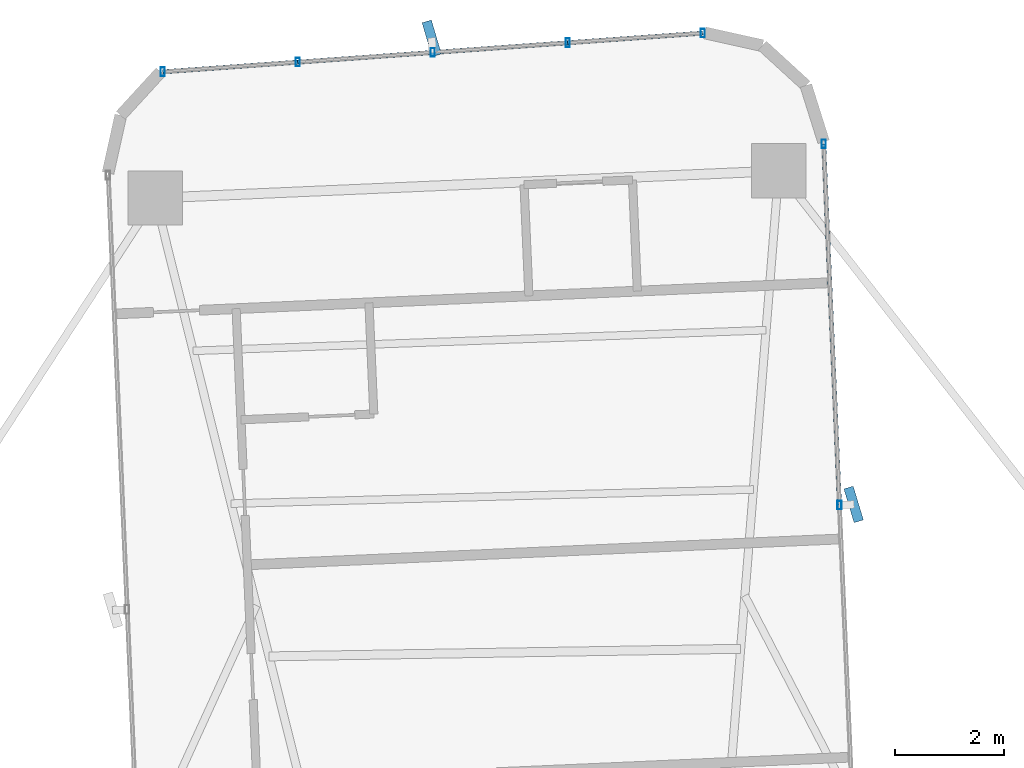
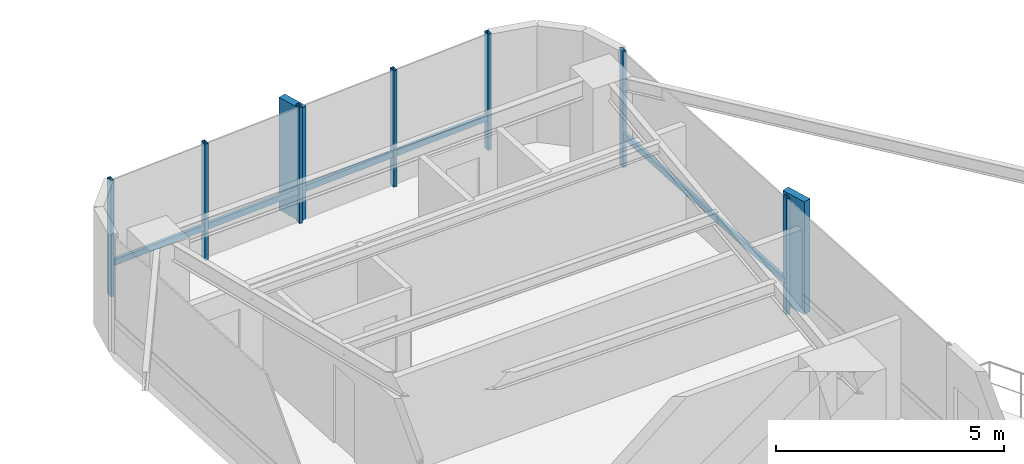
# One storey, part 19 of 26: 14 members, 2 elements without a shape of their own.
"""IFC4 building model written with IfcOpenShell, lengths in metres."""

from ifc_helpers import new_model, si_unit, direction, frame, origin, origin_2d, place, context, subcontext, project, spatial, rectangle, hollow_rectangle, extrude, source, transform, mapped, material, material_profile, profile_set, type_object, element, aggregate, save


model = new_model("IFC4")

# Units and contexts
model_context = context("Model", 3, precision=1e-05, world=origin(), true_north=direction((0.0, 1.0)))
body_context = subcontext(model_context, "Body", "Model", "MODEL_VIEW")
ifc_project = project(units=[si_unit("LENGTHUNIT", "METRE"), si_unit("AREAUNIT", "SQUARE_METRE"), si_unit("VOLUMEUNIT", "CUBIC_METRE"), si_unit("PLANEANGLEUNIT", "RADIAN"), si_unit("MASSUNIT", "GRAM", prefix="KILO")], contexts=[model_context])

# Site, building, storey
site_placement = place(None, origin())
site = spatial("IfcSite", under=ifc_project, at=site_placement, CompositionType="ELEMENT")
building_placement = place(site_placement, origin())
building = spatial("IfcBuilding", under=site, at=building_placement, Name="Sahyath Konkavel Grand Hotel", CompositionType="ELEMENT")
storey_placement = place(building_placement, frame((0.0, 0.0, 118.14990234375)))
storey = spatial("IfcBuildingStorey", under=building, at=storey_placement, Name="L32", CompositionType="ELEMENT", Elevation=118.14990234375)

# Curtain wall, member
ifc_material_1 = material(Name="Anodised Bronze Aluminium & Low-E Glazing", Category="aluminium")
curtain_wall_type = type_object("IfcCurtainWallType", Name="CW-ZONE2", PredefinedType="NOTDEFINED", material=ifc_material_1)
curtain_wall_1_placement = place(storey_placement, origin())
curtain_wall_1 = element("IfcCurtainWall", 1, at=curtain_wall_1_placement, inside=storey, type_object=curtain_wall_type, Name="L32 Unitised Curtain Wall F8", PredefinedType="NOTDEFINED")
ifc_material_2 = material(Name="Warm Buff Sandstone Cladding on Concrete C50/60", Category="masonry")
ifc_material_profile_1 = material_profile(ifc_material_2, rectangle(XDim=0.179931640625, YDim=0.64990234375, at=origin_2d()), Name="FIN 180x650")
ifc_profile_set_1 = profile_set([ifc_material_profile_1], Name="Warm Buff Sandstone Cladding on Concrete C50/60")
member_type_1 = type_object("IfcMemberType", Name="FIN-SANDSTONE-650", PredefinedType="MULLION", material=ifc_profile_set_1)
shared_shape_1 = source(origin(), body_context, "Body", "SweptSolid", [
    extrude(rectangle(XDim=0.179931640625, YDim=0.64990234375, at=origin_2d()), origin(), (0.0, 0.0, 1.0), 3.010009765625),
])
member_1_placement = place(storey_placement, frame((6.155517578125, 16.283935546875, 0.050048828125), z_axis=(0.0, 0.0, 1.0), x_axis=(0.957117481996, 0.289700061544, 0.0)))
member_1 = element("IfcMember", 2, at=member_1_placement, type_object=member_type_1, Name="L32 Sandstone Vertical Solar Fin FIN F8-1", PredefinedType="MULLION", context=body_context, shape_type="MappedRepresentation", body=[
    mapped(shared_shape_1, transform((0.0, 0.0, 0.0), scale=1.0)),
])

curtain_wall_2_placement = place(storey_placement, origin())
curtain_wall_2 = element("IfcCurtainWall", 3, at=curtain_wall_2_placement, inside=storey, type_object=curtain_wall_type, Name="L32 Unitised Curtain Wall F12", PredefinedType="NOTDEFINED")
member_2_placement = place(storey_placement, frame((-1.61865234375, 24.872314453125, 0.050048828125), z_axis=(0.0, 0.0, 1.0), x_axis=(0.959264682049, 0.282508884416, 0.0)))
member_2 = element("IfcMember", 4, at=member_2_placement, type_object=member_type_1, Name="L32 Sandstone Vertical Solar Fin FIN F12-2", PredefinedType="MULLION", context=body_context, shape_type="MappedRepresentation", body=[
    mapped(shared_shape_1, transform((0.0, 0.0, 0.0), scale=1.0)),
])

# Member
ifc_material_3 = material(Name="Anodised Bronze Aluminium", Category="aluminium")
ifc_material_profile_2 = material_profile(ifc_material_3, hollow_rectangle(XDim=0.080078125, YDim=0.159912109375, WallThickness=0.006103515625, at=origin_2d()), Name="RHS 160x80x6")
ifc_profile_set_2 = profile_set([ifc_material_profile_2], Name="Anodised Bronze Aluminium")
member_type_2 = type_object("IfcMemberType", Name="CW-MUL-160", PredefinedType="MULLION", material=ifc_profile_set_2)
shared_shape_2 = source(origin(), body_context, "Body", "SweptSolid", [
    extrude(hollow_rectangle(XDim=0.080078125, YDim=0.159912109375, WallThickness=0.006103515625, at=origin_2d()), origin(), (0.0, 0.0, 1.0), 3.110107421875),
])
member_3_placement = place(storey_placement, frame((5.895751953125, 16.272705078125, 0.0), z_axis=(0.0, 0.0, 1.0), x_axis=(1.0, 0.0, 0.0)))
member_3 = element("IfcMember", 5, at=member_3_placement, type_object=member_type_2, Name="L32 Curtain Wall Mullion F8-1", PredefinedType="MULLION", context=body_context, shape_type="MappedRepresentation", body=[
    mapped(shared_shape_2, transform((0.0, 0.0, 0.0), scale=1.0)),
])

member_4_placement = place(storey_placement, frame((5.605224609375, 22.92626953125, 0.0), z_axis=(0.0, 0.0, 1.0), x_axis=(1.0, 0.0, 0.0)))
member_4 = element("IfcMember", 6, at=member_4_placement, type_object=member_type_2, Name="L32 Curtain Wall Mullion F8-2", PredefinedType="MULLION", context=body_context, shape_type="MappedRepresentation", body=[
    mapped(shared_shape_2, transform((0.0, 0.0, 0.0), scale=1.0)),
])

member_5_placement = place(storey_placement, frame((3.3740234375, 24.9697265625, 0.0), z_axis=(0.0, 0.0, 1.0), x_axis=(1.0, 0.0, 0.0)))
member_5 = element("IfcMember", 7, at=member_5_placement, type_object=member_type_2, Name="L32 Curtain Wall Mullion F12-0", PredefinedType="MULLION", context=body_context, shape_type="MappedRepresentation", body=[
    mapped(shared_shape_2, transform((0.0, 0.0, 0.0), scale=1.0)),
])

member_6_placement = place(storey_placement, frame((0.886962890625, 24.79150390625, 0.0), z_axis=(0.0, 0.0, 1.0), x_axis=(1.0, 0.0, 0.0)))
member_6 = element("IfcMember", 8, at=member_6_placement, type_object=member_type_2, Name="L32 Curtain Wall Mullion F12-1", PredefinedType="MULLION", context=body_context, shape_type="MappedRepresentation", body=[
    mapped(shared_shape_2, transform((0.0, 0.0, 0.0), scale=1.0)),
])

member_7_placement = place(storey_placement, frame((-1.60009765625, 24.61279296875, 0.0), z_axis=(0.0, 0.0, 1.0), x_axis=(1.0, 0.0, 0.0)))
member_7 = element("IfcMember", 9, at=member_7_placement, type_object=member_type_2, Name="L32 Curtain Wall Mullion F12-2", PredefinedType="MULLION", context=body_context, shape_type="MappedRepresentation", body=[
    mapped(shared_shape_2, transform((0.0, 0.0, 0.0), scale=1.0)),
])

member_8_placement = place(storey_placement, frame((-4.087158203125, 24.4345703125, 0.0), z_axis=(0.0, 0.0, 1.0), x_axis=(1.0, 0.0, 0.0)))
member_8 = element("IfcMember", 10, at=member_8_placement, type_object=member_type_2, Name="L32 Curtain Wall Mullion F12-3", PredefinedType="MULLION", context=body_context, shape_type="MappedRepresentation", body=[
    mapped(shared_shape_2, transform((0.0, 0.0, 0.0), scale=1.0)),
])

member_9_placement = place(storey_placement, frame((-6.57421875, 24.256103515625, 0.0), z_axis=(0.0, 0.0, 1.0), x_axis=(1.0, 0.0, 0.0)))
member_9 = element("IfcMember", 11, at=member_9_placement, type_object=member_type_2, Name="L32 Curtain Wall Mullion F12-4", PredefinedType="MULLION", context=body_context, shape_type="MappedRepresentation", body=[
    mapped(shared_shape_2, transform((0.0, 0.0, 0.0), scale=1.0)),
])

ifc_material_profile_3 = material_profile(ifc_material_3, hollow_rectangle(XDim=0.080078125, YDim=0.159912109375, WallThickness=0.006103515625, at=origin_2d()), Name="RHS 160x80x6")
ifc_profile_set_3 = profile_set([ifc_material_profile_3], Name="Anodised Bronze Aluminium")
member_type_3 = type_object("IfcMemberType", Name="CW-TRN-160", PredefinedType="USERDEFINED", material=ifc_profile_set_3)
shared_shape_3 = source(origin(), body_context, "Body", "SweptSolid", [
    extrude(hollow_rectangle(XDim=0.080078125, YDim=0.159912109375, WallThickness=0.006103515625, at=origin_2d()), origin(), (0.0, 0.0, 1.0), 2.493408203125),
])
member_10_placement = place(storey_placement, frame((3.3740234375, 24.9697265625, 0.85009765625), z_axis=(-0.997442271688, -0.071476672066, 0.0), x_axis=(0.071476672066, -0.997442271688, 0.0)))
member_10 = element("IfcMember", 12, at=member_10_placement, type_object=member_type_3, Name="L32 Curtain Wall Transom F12-0-spandrel", ObjectType="TRANSOM", PredefinedType="USERDEFINED", context=body_context, shape_type="MappedRepresentation", body=[
    mapped(shared_shape_3, transform((0.0, 0.0, 0.0), scale=1.0)),
])

member_11_placement = place(storey_placement, frame((0.886962890625, 24.79150390625, 0.85009765625), z_axis=(-0.997428291631, -0.071671494009, 0.0), x_axis=(0.071671494009, -0.997428291631, 0.0)))
member_11 = element("IfcMember", 13, at=member_11_placement, type_object=member_type_3, Name="L32 Curtain Wall Transom F12-1-spandrel", ObjectType="TRANSOM", PredefinedType="USERDEFINED", context=body_context, shape_type="MappedRepresentation", body=[
    mapped(shared_shape_3, transform((0.0, 0.0, 0.0), scale=1.0)),
])

member_12_placement = place(storey_placement, frame((-1.60009765625, 24.61279296875, 0.85009765625), z_axis=(-0.997442271688, -0.071476672066, 0.0), x_axis=(0.071476672066, -0.997442271688, 0.0)))
member_12 = element("IfcMember", 14, at=member_12_placement, type_object=member_type_3, Name="L32 Curtain Wall Transom F12-2-spandrel", ObjectType="TRANSOM", PredefinedType="USERDEFINED", context=body_context, shape_type="MappedRepresentation", body=[
    mapped(shared_shape_3, transform((0.0, 0.0, 0.0), scale=1.0)),
])

member_13_placement = place(storey_placement, frame((-4.087158203125, 24.4345703125, 0.85009765625), z_axis=(-0.997435286367, -0.071574084062, 0.0), x_axis=(0.071574084062, -0.997435286367, 0.0)))
member_13 = element("IfcMember", 15, at=member_13_placement, type_object=member_type_3, Name="L32 Curtain Wall Transom F12-3-spandrel", ObjectType="TRANSOM", PredefinedType="USERDEFINED", context=body_context, shape_type="MappedRepresentation", body=[
    mapped(shared_shape_3, transform((0.0, 0.0, 0.0), scale=1.0)),
])

aggregate(curtain_wall_2, [member_5, member_6, member_7, member_2, member_8, member_9, member_10, member_11, member_12, member_13])

shared_shape_4 = source(origin(), body_context, "Body", "SweptSolid", [
    extrude(hollow_rectangle(XDim=0.080078125, YDim=0.159912109375, WallThickness=0.006103515625, at=origin_2d()), origin(), (0.0, 0.0, 1.0), 6.659912109375),
])
member_14_placement = place(storey_placement, frame((5.895751953125, 16.272705078125, 0.85009765625), z_axis=(-0.043623350741, 0.999048048529, 0.0), x_axis=(-0.999048048529, -0.043623350741, 0.0)))
member_14 = element("IfcMember", 16, at=member_14_placement, type_object=member_type_3, Name="L32 Curtain Wall Transom F8-1-spandrel", ObjectType="TRANSOM", PredefinedType="USERDEFINED", context=body_context, shape_type="MappedRepresentation", body=[
    mapped(shared_shape_4, transform((0.0, 0.0, 0.0), scale=1.0)),
])

aggregate(curtain_wall_1, [member_3, member_1, member_4, member_14])

save(model, "model.ifc")
